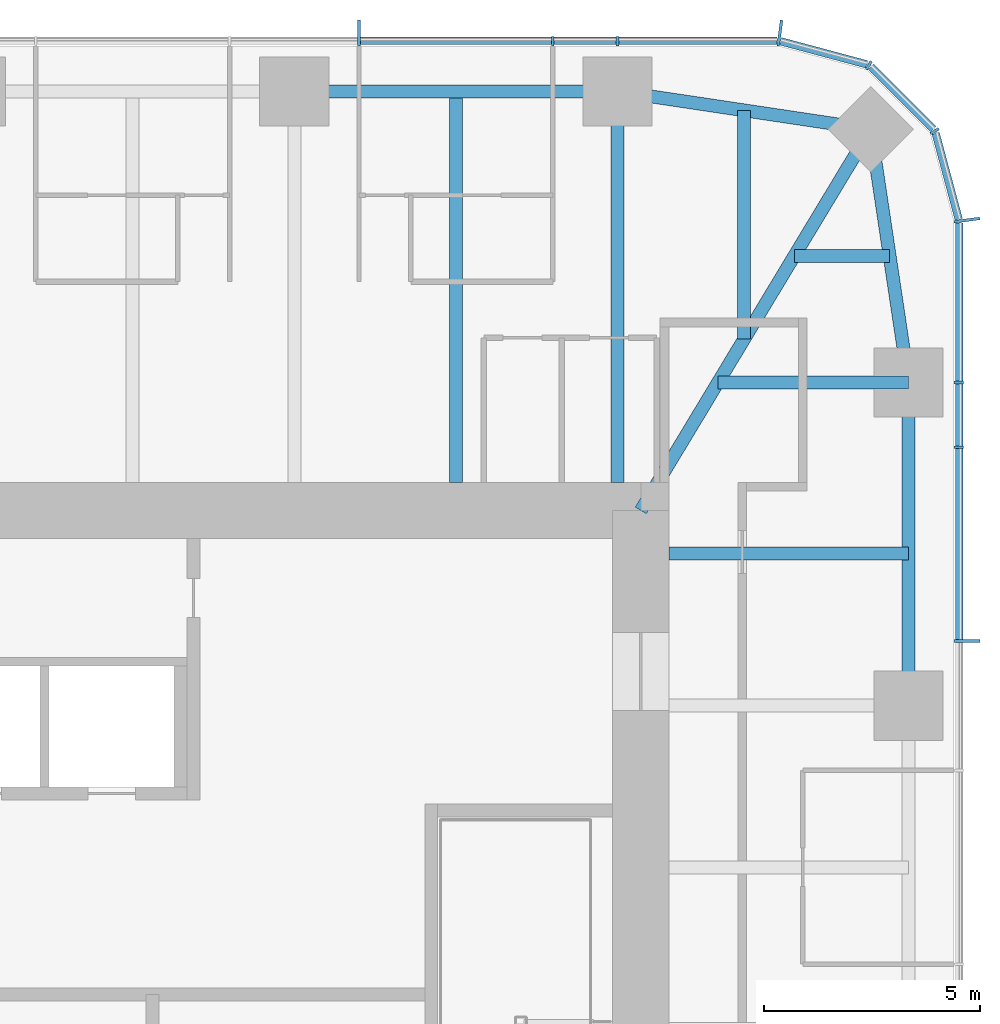
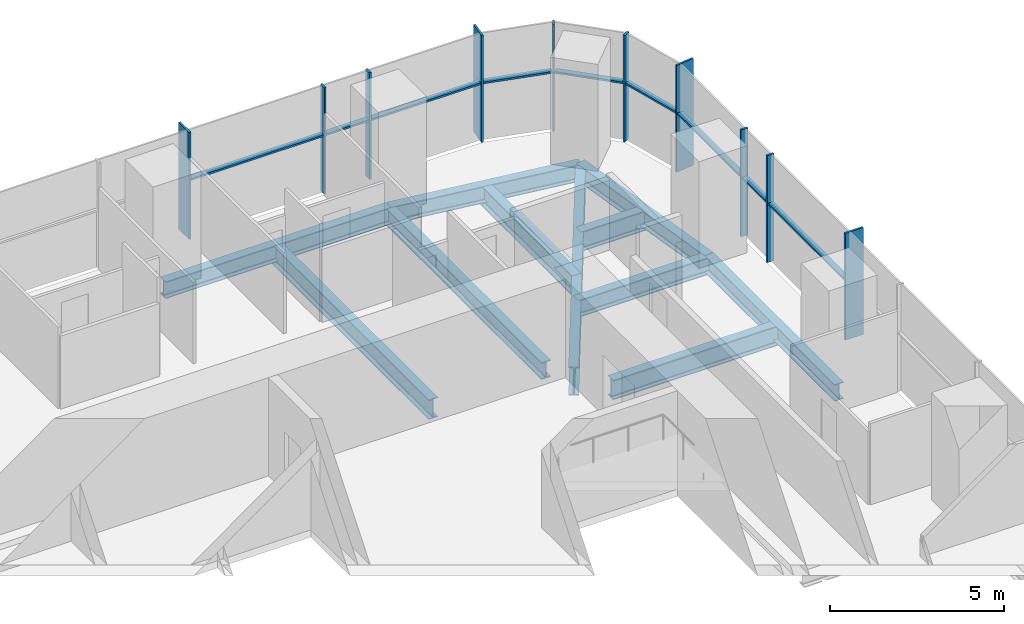
# One storey, part 6 of 13: 19 members, 11 beams, 3 elements without a shape of their own.
"""IFC4 building model written with IfcOpenShell, lengths in metres."""

from ifc_helpers import new_model, si_unit, direction, frame, origin, origin_2d, place, context, subcontext, project, spatial, rectangle, i_section, extrude, material, material_profile, profile_set, type_object, element, aggregate, save


model = new_model("IFC4")

# Units and contexts
model_context = context("Model", 3, precision=1e-05, world=origin(), true_north=direction((0.0, 1.0)))
body_context = subcontext(model_context, "Body", "Model", "MODEL_VIEW")
ifc_project = project(units=[si_unit("LENGTHUNIT", "METRE"), si_unit("AREAUNIT", "SQUARE_METRE"), si_unit("VOLUMEUNIT", "CUBIC_METRE"), si_unit("PLANEANGLEUNIT", "RADIAN"), si_unit("MASSUNIT", "GRAM", prefix="KILO")], contexts=[model_context])

# Site, building, storey
site_placement = place(None, origin())
site = spatial("IfcSite", under=ifc_project, at=site_placement, CompositionType="ELEMENT")
building_placement = place(site_placement, origin())
building = spatial("IfcBuilding", under=site, at=building_placement, Name="Khuree Lantern Residences", CompositionType="ELEMENT")
storey_placement = place(building_placement, frame((0.0, 0.0, 349.5)))
storey = spatial("IfcBuildingStorey", under=building, at=storey_placement, Name="L88", CompositionType="ELEMENT", Elevation=349.5)

# Beams
ifc_material_1 = material(Name="Steel S355", Category="steel")
ifc_material_profile_1 = material_profile(ifc_material_1, i_section(OverallWidth=0.300048828125, OverallDepth=0.68994140625, WebThickness=0.014404296875, FlangeThickness=0.027099609375, FilletRadius=0.027099609375, at=origin_2d()), Name="HE 700 A")
ifc_profile_set_1 = profile_set([ifc_material_profile_1], Name="Steel S355")
beam_type_1 = type_object("IfcBeamType", Name="B-45A SECONDARY BEAM HE 700 A", PredefinedType="BEAM", material=ifc_profile_set_1)
beam_1_placement = place(storey_placement, frame((11.219970703125, 21.699951171875, -0.594970703125), z_axis=(0.0, -1.0, 0.0), x_axis=(1.0, 0.0, 0.0)))
element("IfcBeam", 1, at=beam_1_placement, inside=storey, type_object=beam_type_1, Name="Secondary beam N4", PredefinedType="BEAM", context=body_context, shape_type="SweptSolid", body=[
    extrude(i_section(OverallWidth=0.300048828125, OverallDepth=0.68994140625, WebThickness=0.014404296875, FlangeThickness=0.027099609375, FilletRadius=0.027099609375, at=origin_2d()), origin(), (0.0, 0.0, 1.0), 9.050048828125),
])
beam_2_placement = place(storey_placement, frame((17.890625, 21.2607421875, -0.594970703125), z_axis=(0.0, -1.0, 0.0), x_axis=(1.0, 0.0, 0.0)))
element("IfcBeam", 2, at=beam_2_placement, inside=storey, type_object=beam_type_1, Name="Secondary beam N5", PredefinedType="BEAM", context=body_context, shape_type="SweptSolid", body=[
    extrude(i_section(OverallWidth=0.300048828125, OverallDepth=0.68994140625, WebThickness=0.014404296875, FlangeThickness=0.027099609375, FilletRadius=0.027099609375, at=origin_2d()), origin(), (0.0, 0.0, 1.0), 5.297607421875),
])
beam_3_placement = place(storey_placement, frame((21.2607421875, 17.890625, -0.594970703125), z_axis=(-1.0, 0.0, 0.0), x_axis=(0.0, -1.0, 0.0)))
element("IfcBeam", 3, at=beam_3_placement, inside=storey, type_object=beam_type_1, Name="Secondary beam E1", PredefinedType="BEAM", context=body_context, shape_type="SweptSolid", body=[
    extrude(i_section(OverallWidth=0.300048828125, OverallDepth=0.68994140625, WebThickness=0.014404296875, FlangeThickness=0.027099609375, FilletRadius=0.027099609375, at=origin_2d()), origin(), (0.0, 0.0, 1.0), 2.207275390625),
])
beam_4_placement = place(storey_placement, frame((21.699951171875, 11.0, -0.594970703125), z_axis=(-1.0, 0.0, 0.0), x_axis=(0.0, -1.0, 0.0)))
element("IfcBeam", 4, at=beam_4_placement, inside=storey, type_object=beam_type_1, Name="Secondary beam E2", PredefinedType="BEAM", context=body_context, shape_type="SweptSolid", body=[
    extrude(i_section(OverallWidth=0.300048828125, OverallDepth=0.68994140625, WebThickness=0.014404296875, FlangeThickness=0.027099609375, FilletRadius=0.027099609375, at=origin_2d()), origin(), (0.0, 0.0, 1.0), 5.550048828125),
])
ifc_material_profile_2 = material_profile(ifc_material_1, i_section(OverallWidth=0.300048828125, OverallDepth=0.590087890625, WebThickness=0.012939453125, FlangeThickness=0.02490234375, FilletRadius=0.027099609375, at=origin_2d()), Name="HE 600 A")
ifc_profile_set_2 = profile_set([ifc_material_profile_2], Name="Steel S355")
beam_type_2 = type_object("IfcBeamType", Name="E-45A SPANDREL BEAM HE 600 A", PredefinedType="SPANDREL", material=ifc_profile_set_2)
beam_5_placement = place(storey_placement, frame((7.47998046875, 21.699951171875, -0.544921875), z_axis=(1.0, 0.0, 0.0), x_axis=(0.0, 1.0, 0.0)))
element("IfcBeam", 5, at=beam_5_placement, inside=storey, type_object=beam_type_2, Name="Spandrel beam N4", PredefinedType="SPANDREL", context=body_context, shape_type="SweptSolid", body=[
    extrude(i_section(OverallWidth=0.300048828125, OverallDepth=0.590087890625, WebThickness=0.012939453125, FlangeThickness=0.02490234375, FilletRadius=0.027099609375, at=origin_2d()), origin(), (0.0, 0.0, 1.0), 7.47998046875),
])
for number, where, z_axis, x_axis, name in (
    (6, (14.9599609375, 21.699951171875, -0.544921875), (0.988949643299, -0.148251822985, 0.0), (0.148251822985, 0.988949643299, 0.0), "Spandrel beam N5"),
    (7, (20.8212890625, 20.8212890625, -0.544921875), (0.148251822985, -0.988949643299, 0.0), (0.988949643299, 0.148251822985, 0.0), "Spandrel beam E1"),
):
    element("IfcBeam", number, at=place(storey_placement, frame(where, z_axis=z_axis, x_axis=x_axis)), inside=storey, type_object=beam_type_2, Name=name, PredefinedType="SPANDREL", context=body_context, shape_type="SweptSolid", body=[
        extrude(i_section(OverallWidth=0.300048828125, OverallDepth=0.590087890625, WebThickness=0.012939453125, FlangeThickness=0.02490234375, FilletRadius=0.027099609375, at=origin_2d()), origin(), (0.0, 0.0, 1.0), 5.9267578125),
    ])
beam_6_placement = place(storey_placement, frame((21.699951171875, 14.9599609375, -0.544921875), z_axis=(0.0, -1.0, 0.0), x_axis=(1.0, 0.0, 0.0)))
element("IfcBeam", 8, at=beam_6_placement, inside=storey, type_object=beam_type_2, Name="Spandrel beam E2", PredefinedType="SPANDREL", context=body_context, shape_type="SweptSolid", body=[
    extrude(i_section(OverallWidth=0.300048828125, OverallDepth=0.590087890625, WebThickness=0.012939453125, FlangeThickness=0.02490234375, FilletRadius=0.027099609375, at=origin_2d()), origin(), (0.0, 0.0, 1.0), 7.47998046875),
])

# Curtain wall, member
ifc_material_2 = material(Name="Bronze anodised aluminium", Category="aluminium")
curtain_wall_type_1 = type_object("IfcCurtainWallType", Name="CW-T1 TOWER FACE CURTAIN WALL", PredefinedType="USERDEFINED", material=ifc_material_2)
curtain_wall_1_placement = place(storey_placement, origin())
curtain_wall_1 = element("IfcCurtainWall", 9, at=curtain_wall_1_placement, inside=storey, type_object=curtain_wall_type_1, Name="L88 EAST FACE CURTAIN WALL", ObjectType="Stick-built curtain wall", PredefinedType="USERDEFINED")
ifc_material_profile_3 = material_profile(ifc_material_2, rectangle(XDim=0.06494140625, YDim=0.60009765625, at=origin_2d()), Name="F1 65X600")
ifc_profile_set_3 = profile_set([ifc_material_profile_3], Name="Bronze anodised aluminium")
member_type_1 = type_object("IfcMemberType", Name="F1 BRONZE FIN MULLION TOWER 65X600", PredefinedType="MULLION", material=ifc_profile_set_3)
member_1_placement = place(storey_placement, frame((23.050048828125, 8.97607421875, 0.0), z_axis=(0.0, 0.0, 1.0), x_axis=(0.0, 1.0, 0.0)))
member_1 = element("IfcMember", 10, at=member_1_placement, type_object=member_type_1, Name="L88 EAST FACE FIN MULLION 12", PredefinedType="MULLION", context=body_context, shape_type="SweptSolid", body=[
    extrude(rectangle(XDim=0.06494140625, YDim=0.60009765625, at=origin_2d()), origin(), (0.0, 0.0, 1.0), 3.75),
])

curtain_wall_type_2 = type_object("IfcCurtainWallType", Name="CW-T2 TOWER CORNER CURTAIN WALL", PredefinedType="USERDEFINED", material=ifc_material_2)
curtain_wall_2_placement = place(storey_placement, origin())
curtain_wall_2 = element("IfcCurtainWall", 11, at=curtain_wall_2_placement, inside=storey, type_object=curtain_wall_type_2, Name="L88 NORTH-EAST CORNER CURTAIN WALL", ObjectType="Faceted corner curtain wall", PredefinedType="USERDEFINED")
member_2_placement = place(storey_placement, frame((23.050048828125, 18.7197265625, 0.0), z_axis=(0.0, 0.0, 1.0), x_axis=(-0.130526125236, 0.991444870192, 0.0)))
member_2 = element("IfcMember", 12, at=member_2_placement, type_object=member_type_1, Name="L88 NORTH-EAST CORNER FIN MULLION 15", PredefinedType="MULLION", context=body_context, shape_type="SweptSolid", body=[
    extrude(rectangle(XDim=0.06494140625, YDim=0.60009765625, at=origin_2d()), origin(), (0.0, 0.0, 1.0), 3.75),
])

# Curtain wall, members
curtain_wall_3_placement = place(storey_placement, origin())
curtain_wall_3 = element("IfcCurtainWall", 13, at=curtain_wall_3_placement, inside=storey, type_object=curtain_wall_type_1, Name="L88 NORTH FACE CURTAIN WALL", ObjectType="Stick-built curtain wall", PredefinedType="USERDEFINED")
member_3_placement = place(storey_placement, frame((18.7197265625, 23.050048828125, 0.0), z_axis=(0.0, 0.0, 1.0), x_axis=(-0.991444870192, 0.130526125236, 0.0)))
member_3 = element("IfcMember", 14, at=member_3_placement, type_object=member_type_1, Name="L88 NORTH FACE FIN MULLION 18", PredefinedType="MULLION", context=body_context, shape_type="SweptSolid", body=[
    extrude(rectangle(XDim=0.06494140625, YDim=0.60009765625, at=origin_2d()), origin(), (0.0, 0.0, 1.0), 3.75),
])
member_4_placement = place(storey_placement, frame((8.97607421875, 23.050048828125, 0.0), z_axis=(0.0, 0.0, 1.0), x_axis=(-1.0, 0.0, 0.0)))
member_4 = element("IfcMember", 15, at=member_4_placement, type_object=member_type_1, Name="L88 NORTH FACE FIN MULLION 21", PredefinedType="MULLION", context=body_context, shape_type="SweptSolid", body=[
    extrude(rectangle(XDim=0.06494140625, YDim=0.60009765625, at=origin_2d()), origin(), (0.0, 0.0, 1.0), 3.75),
])

# Beams
ifc_material_profile_4 = material_profile(ifc_material_1, i_section(OverallWidth=0.300048828125, OverallDepth=0.60009765625, WebThickness=0.015380859375, FlangeThickness=0.030029296875, FilletRadius=0.027099609375, at=origin_2d()), Name="HE 600 B")
ifc_profile_set_4 = profile_set([ifc_material_profile_4], Name="Steel S355")
beam_type_3 = type_object("IfcBeamType", Name="G-45 GIRDER HE 600 B", PredefinedType="BEAM", material=ifc_profile_set_4)
beam_7_placement = place(storey_placement, frame((14.9599609375, 21.699951171875, -0.550048828125), z_axis=(0.0, -1.0, 0.0), x_axis=(1.0, 0.0, 0.0)))
element("IfcBeam", 16, at=beam_7_placement, inside=storey, type_object=beam_type_3, Name="Girder N5", PredefinedType="BEAM", context=body_context, shape_type="SweptSolid", body=[
    extrude(i_section(OverallWidth=0.300048828125, OverallDepth=0.60009765625, WebThickness=0.015380859375, FlangeThickness=0.030029296875, FilletRadius=0.027099609375, at=origin_2d()), origin(), (0.0, 0.0, 1.0), 9.050048828125),
])
beam_8_placement = place(storey_placement, frame((21.699951171875, 14.9599609375, -0.550048828125), z_axis=(-1.0, 0.0, 0.0), x_axis=(0.0, -1.0, 0.0)))
element("IfcBeam", 17, at=beam_8_placement, inside=storey, type_object=beam_type_3, Name="Girder E1", PredefinedType="BEAM", context=body_context, shape_type="SweptSolid", body=[
    extrude(i_section(OverallWidth=0.300048828125, OverallDepth=0.60009765625, WebThickness=0.015380859375, FlangeThickness=0.030029296875, FilletRadius=0.027099609375, at=origin_2d()), origin(), (0.0, 0.0, 1.0), 4.414306640625),
])
ifc_material_profile_5 = material_profile(ifc_material_1, i_section(OverallWidth=0.300048828125, OverallDepth=1.0, WebThickness=0.01904296875, FlangeThickness=0.035888671875, FilletRadius=0.030029296875, at=origin_2d()), Name="HE 1000 B")
ifc_profile_set_5 = profile_set([ifc_material_profile_5], Name="Steel S355")
beam_type_4 = type_object("IfcBeamType", Name="GD-45A CORNER GIRDER HE 1000 B", PredefinedType="BEAM", material=ifc_profile_set_5)
beam_9_placement = place(storey_placement, frame((20.8212890625, 20.8212890625, -0.75), z_axis=(-0.516529577604, -0.856269347495, 0.0), x_axis=(0.856269347495, -0.516529577604, 0.0)))
element("IfcBeam", 18, at=beam_9_placement, inside=storey, type_object=beam_type_4, Name="Corner girder NE", PredefinedType="BEAM", context=body_context, shape_type="SweptSolid", body=[
    extrude(i_section(OverallWidth=0.300048828125, OverallDepth=1.0, WebThickness=0.01904296875, FlangeThickness=0.035888671875, FilletRadius=0.030029296875, at=origin_2d()), origin(), (0.0, 0.0, 1.0), 10.302001953125),
])

# Member
ifc_material_profile_6 = material_profile(ifc_material_2, rectangle(XDim=0.06494140625, YDim=0.219970703125, at=origin_2d()), Name="M1 65X220")
ifc_profile_set_6 = profile_set([ifc_material_profile_6], Name="Bronze anodised aluminium")
member_type_2 = type_object("IfcMemberType", Name="M1 BRONZE MULLION TOWER 65X220", PredefinedType="MULLION", material=ifc_profile_set_6)
member_5_placement = place(storey_placement, frame((22.860107421875, 13.464111328125, 0.0), z_axis=(0.0, 0.0, 1.0), x_axis=(0.0, 1.0, 0.0)))
member_5 = element("IfcMember", 19, at=member_5_placement, type_object=member_type_2, Name="L88 EAST FACE MULLION 13", PredefinedType="MULLION", context=body_context, shape_type="SweptSolid", body=[
    extrude(rectangle(XDim=0.06494140625, YDim=0.219970703125, at=origin_2d()), origin(), (0.0, 0.0, 1.0), 3.75),
])

member_6_placement = place(storey_placement, frame((22.860107421875, 14.9599609375, 0.0), z_axis=(0.0, 0.0, 1.0), x_axis=(0.0, 1.0, 0.0)))
member_6 = element("IfcMember", 20, at=member_6_placement, type_object=member_type_2, Name="L88 EAST FACE MULLION 14", PredefinedType="MULLION", context=body_context, shape_type="SweptSolid", body=[
    extrude(rectangle(XDim=0.06494140625, YDim=0.219970703125, at=origin_2d()), origin(), (0.0, 0.0, 1.0), 3.75),
])

member_7_placement = place(storey_placement, frame((22.302734375, 20.780029296875, 0.0), z_axis=(0.0, 0.0, 1.0), x_axis=(-0.49999994149, 0.866025437565, 0.0)))
member_7 = element("IfcMember", 21, at=member_7_placement, type_object=member_type_2, Name="L88 NORTH-EAST CORNER MULLION 16", PredefinedType="MULLION", context=body_context, shape_type="SweptSolid", body=[
    extrude(rectangle(XDim=0.06494140625, YDim=0.219970703125, at=origin_2d()), origin(), (0.0, 0.0, 1.0), 3.75),
])

member_8_placement = place(storey_placement, frame((20.780029296875, 22.302734375, 0.0), z_axis=(0.0, 0.0, 1.0), x_axis=(-0.866025437565, 0.49999994149, 0.0)))
member_8 = element("IfcMember", 22, at=member_8_placement, type_object=member_type_2, Name="L88 NORTH-EAST CORNER MULLION 17", PredefinedType="MULLION", context=body_context, shape_type="SweptSolid", body=[
    extrude(rectangle(XDim=0.06494140625, YDim=0.219970703125, at=origin_2d()), origin(), (0.0, 0.0, 1.0), 3.75),
])

member_9_placement = place(storey_placement, frame((14.9599609375, 22.860107421875, 0.0), z_axis=(0.0, 0.0, 1.0), x_axis=(-1.0, 0.0, 0.0)))
member_9 = element("IfcMember", 23, at=member_9_placement, type_object=member_type_2, Name="L88 NORTH FACE MULLION 19", PredefinedType="MULLION", context=body_context, shape_type="SweptSolid", body=[
    extrude(rectangle(XDim=0.06494140625, YDim=0.219970703125, at=origin_2d()), origin(), (0.0, 0.0, 1.0), 3.75),
])

member_10_placement = place(storey_placement, frame((13.464111328125, 22.860107421875, 0.0), z_axis=(0.0, 0.0, 1.0), x_axis=(-1.0, 0.0, 0.0)))
member_10 = element("IfcMember", 24, at=member_10_placement, type_object=member_type_2, Name="L88 NORTH FACE MULLION 20", PredefinedType="MULLION", context=body_context, shape_type="SweptSolid", body=[
    extrude(rectangle(XDim=0.06494140625, YDim=0.219970703125, at=origin_2d()), origin(), (0.0, 0.0, 1.0), 3.75),
])

ifc_material_profile_7 = material_profile(ifc_material_2, rectangle(XDim=0.179931640625, YDim=0.06494140625, at=origin_2d()), Name="T1 180X65")
ifc_profile_set_7 = profile_set([ifc_material_profile_7], Name="Bronze anodised aluminium")
member_type_3 = type_object("IfcMemberType", Name="TRANSOM T1 TOWER 180X65", PredefinedType="USERDEFINED", material=ifc_profile_set_7)
member_11_placement = place(storey_placement, frame((22.8701171875, 9.008544921875, 2.050048828125), z_axis=(0.0, 1.0, 0.0), x_axis=(-1.0, 0.0, 0.0)))
member_11 = element("IfcMember", 25, at=member_11_placement, type_object=member_type_3, Name="L88 EAST FACE TRANSOM 12.1", ObjectType="Transom", PredefinedType="USERDEFINED", context=body_context, shape_type="SweptSolid", body=[
    extrude(rectangle(XDim=0.179931640625, YDim=0.06494140625, at=origin_2d()), origin(), (0.0, 0.0, 1.0), 4.4228515625),
])

member_12_placement = place(storey_placement, frame((22.8701171875, 13.49658203125, 2.050048828125), z_axis=(0.0, 1.0, 0.0), x_axis=(-1.0, 0.0, 0.0)))
member_12 = element("IfcMember", 26, at=member_12_placement, type_object=member_type_3, Name="L88 EAST FACE TRANSOM 13.1", ObjectType="Transom", PredefinedType="USERDEFINED", context=body_context, shape_type="SweptSolid", body=[
    extrude(rectangle(XDim=0.179931640625, YDim=0.06494140625, at=origin_2d()), origin(), (0.0, 0.0, 1.0), 1.430908203125),
])

member_13_placement = place(storey_placement, frame((22.8701171875, 14.992431640625, 2.050048828125), z_axis=(0.0, 1.0, 0.0), x_axis=(-1.0, 0.0, 0.0)))
member_13 = element("IfcMember", 27, at=member_13_placement, type_object=member_type_3, Name="L88 EAST FACE TRANSOM 14.1", ObjectType="Transom", PredefinedType="USERDEFINED", context=body_context, shape_type="SweptSolid", body=[
    extrude(rectangle(XDim=0.179931640625, YDim=0.06494140625, at=origin_2d()), origin(), (0.0, 0.0, 1.0), 3.658935546875),
])

aggregate(curtain_wall_1, [member_1, member_5, member_6, member_11, member_12, member_13])

member_14_placement = place(storey_placement, frame((22.8583984375, 18.7392578125, 2.050048828125), z_axis=(-0.25876176006, 0.965941173949, 0.0), x_axis=(-0.965941173949, -0.25876176006, 0.0)))
member_14 = element("IfcMember", 28, at=member_14_placement, type_object=member_type_3, Name="L88 NORTH-EAST CORNER TRANSOM 15.1", ObjectType="Transom", PredefinedType="USERDEFINED", context=body_context, shape_type="SweptSolid", body=[
    extrude(rectangle(XDim=0.179931640625, YDim=0.06494140625, at=origin_2d()), origin(), (0.0, 0.0, 1.0), 2.0595703125),
])

member_15_placement = place(storey_placement, frame((22.26953125, 20.8251953125, 2.050048828125), z_axis=(-0.707106781187, 0.707106781187, 0.0), x_axis=(-0.707106781187, -0.707106781187, 0.0)))
member_15 = element("IfcMember", 29, at=member_15_placement, type_object=member_type_3, Name="L88 NORTH-EAST CORNER TRANSOM 16.1", ObjectType="Transom", PredefinedType="USERDEFINED", context=body_context, shape_type="SweptSolid", body=[
    extrude(rectangle(XDim=0.179931640625, YDim=0.06494140625, at=origin_2d()), origin(), (0.0, 0.0, 1.0), 2.04248046875),
])

member_16_placement = place(storey_placement, frame((20.728759765625, 22.325439453125, 2.050048828125), z_axis=(-0.965941173949, 0.25876176006, 0.0), x_axis=(-0.25876176006, -0.965941173949, 0.0)))
member_16 = element("IfcMember", 30, at=member_16_placement, type_object=member_type_3, Name="L88 NORTH-EAST CORNER TRANSOM 17.1", ObjectType="Transom", PredefinedType="USERDEFINED", context=body_context, shape_type="SweptSolid", body=[
    extrude(rectangle(XDim=0.179931640625, YDim=0.06494140625, at=origin_2d()), origin(), (0.0, 0.0, 1.0), 2.0595703125),
])

aggregate(curtain_wall_2, [member_2, member_7, member_8, member_14, member_15, member_16])

member_17_placement = place(storey_placement, frame((18.6513671875, 22.8701171875, 2.050048828125), z_axis=(-1.0, 0.0, 0.0), x_axis=(0.0, -1.0, 0.0)))
member_17 = element("IfcMember", 31, at=member_17_placement, type_object=member_type_3, Name="L88 NORTH FACE TRANSOM 18.1", ObjectType="Transom", PredefinedType="USERDEFINED", context=body_context, shape_type="SweptSolid", body=[
    extrude(rectangle(XDim=0.179931640625, YDim=0.06494140625, at=origin_2d()), origin(), (0.0, 0.0, 1.0), 3.658935546875),
])

member_18_placement = place(storey_placement, frame((14.927490234375, 22.8701171875, 2.050048828125), z_axis=(-1.0, 0.0, 0.0), x_axis=(0.0, -1.0, 0.0)))
member_18 = element("IfcMember", 32, at=member_18_placement, type_object=member_type_3, Name="L88 NORTH FACE TRANSOM 19.1", ObjectType="Transom", PredefinedType="USERDEFINED", context=body_context, shape_type="SweptSolid", body=[
    extrude(rectangle(XDim=0.179931640625, YDim=0.06494140625, at=origin_2d()), origin(), (0.0, 0.0, 1.0), 1.430908203125),
])

member_19_placement = place(storey_placement, frame((13.431396484375, 22.8701171875, 2.050048828125), z_axis=(-1.0, 0.0, 0.0), x_axis=(0.0, -1.0, 0.0)))
member_19 = element("IfcMember", 33, at=member_19_placement, type_object=member_type_3, Name="L88 NORTH FACE TRANSOM 20.1", ObjectType="Transom", PredefinedType="USERDEFINED", context=body_context, shape_type="SweptSolid", body=[
    extrude(rectangle(XDim=0.179931640625, YDim=0.06494140625, at=origin_2d()), origin(), (0.0, 0.0, 1.0), 4.4228515625),
])

aggregate(curtain_wall_3, [member_3, member_9, member_10, member_4, member_17, member_18, member_19])

save(model, "model.ifc")
